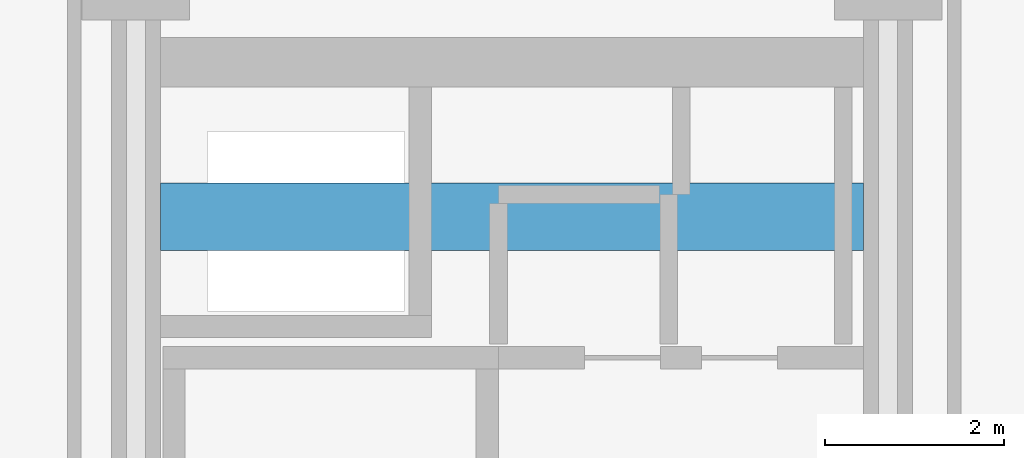
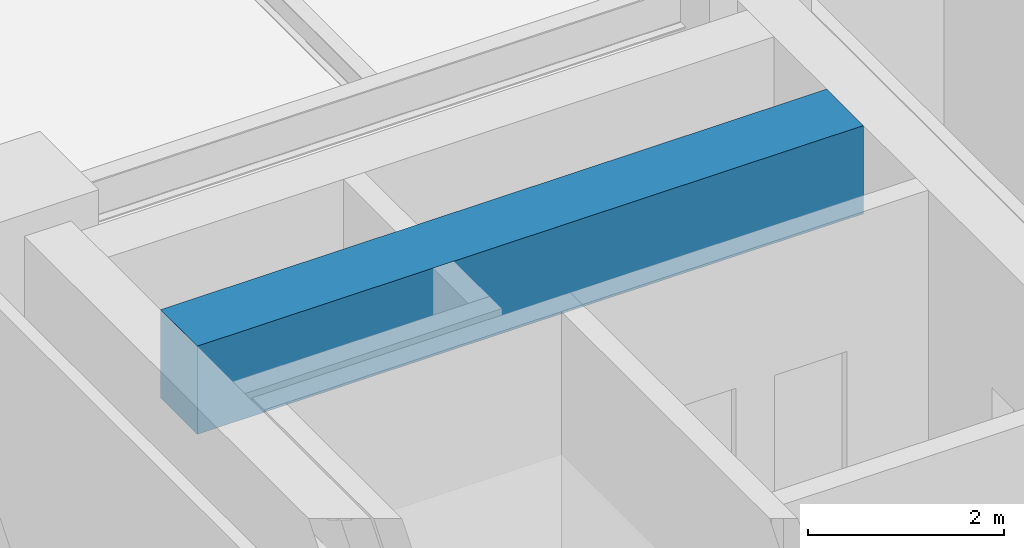
# One storey, part 17 of 29: 1 beam.
"""IFC4 building model written with IfcOpenShell, lengths in metres."""

from ifc_helpers import new_model, si_unit, direction, frame, origin, origin_2d, place, context, subcontext, project, spatial, rectangle, extrude, material, material_profile, profile_set, type_object, element, save


model = new_model("IFC4")

# Units and contexts
model_context = context("Model", 3, precision=1e-05, world=origin(), true_north=direction((0.0, 1.0)))
body_context = subcontext(model_context, "Body", "Model", "MODEL_VIEW")
ifc_project = project(units=[si_unit("LENGTHUNIT", "METRE"), si_unit("AREAUNIT", "SQUARE_METRE"), si_unit("VOLUMEUNIT", "CUBIC_METRE"), si_unit("PLANEANGLEUNIT", "RADIAN"), si_unit("MASSUNIT", "GRAM", prefix="KILO")], contexts=[model_context])

# Site, building, storey
site_placement = place(None, origin())
site = spatial("IfcSite", under=ifc_project, at=site_placement, CompositionType="ELEMENT")
building_placement = place(site_placement, origin())
building = spatial("IfcBuilding", under=site, at=building_placement, Name="Nerrivon Quay Data Exchange", CompositionType="ELEMENT")
storey_placement = place(building_placement, frame((0.0, 0.0, 133.60009765625)))
storey = spatial("IfcBuildingStorey", under=building, at=storey_placement, Name="L31", CompositionType="ELEMENT", Elevation=133.60009765625)

# Beam
ifc_material = material(Name="Concrete S65 (65 MPa)", Category="concrete")
ifc_material_profile = material_profile(ifc_material, rectangle(XDim=0.75, YDim=1.10009765625, at=origin_2d()), Name="RC-CB-750x1100")
ifc_profile_set = profile_set([ifc_material_profile], Name="Concrete S65 (65 MPa)")
beam_type = type_object("IfcBeamType", Name="BM-CB1-750x1100", PredefinedType="LINTEL", material=ifc_profile_set)
beam_placement = place(storey_placement, frame((8.675048828125, 39.199951171875, 3.27490234375), z_axis=(1.0, 0.0, 0.0), x_axis=(0.0, 1.0, 0.0)))
element("IfcBeam", 1, at=beam_placement, inside=storey, type_object=beam_type, Name="L31 West Core Coupling Beam", PredefinedType="LINTEL", context=body_context, shape_type="SweptSolid", body=[
    extrude(rectangle(XDim=0.75, YDim=1.10009765625, at=origin_2d()), origin(), (0.0, 0.0, 1.0), 7.849853515625),
])

save(model, "model.ifc")
